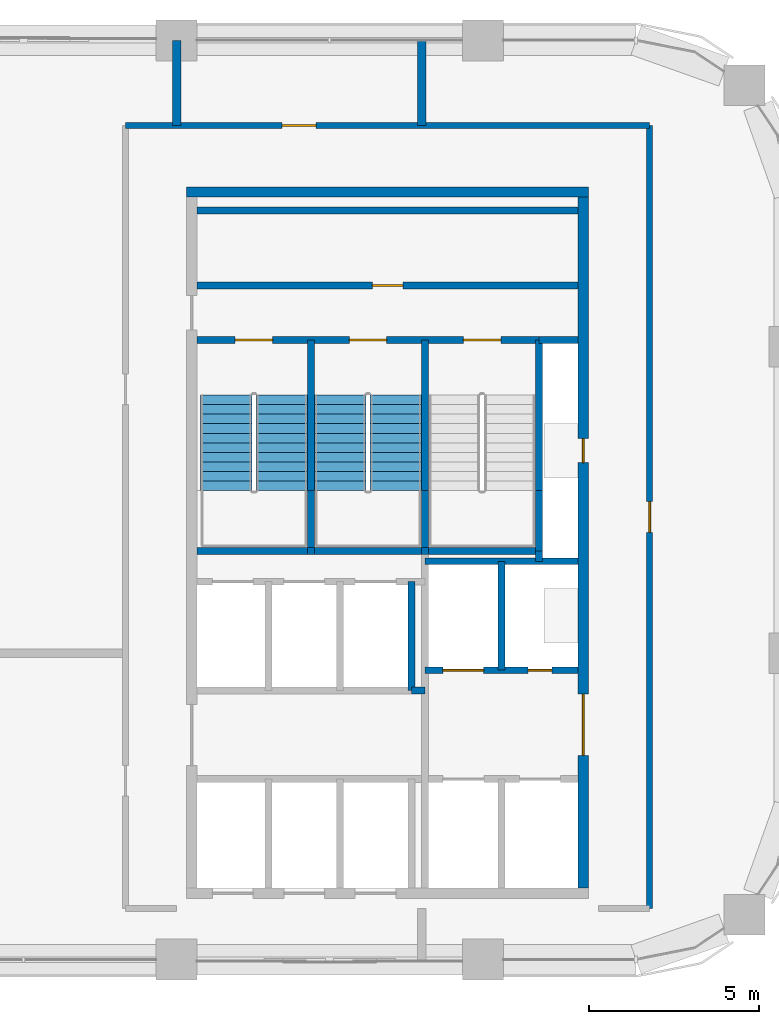
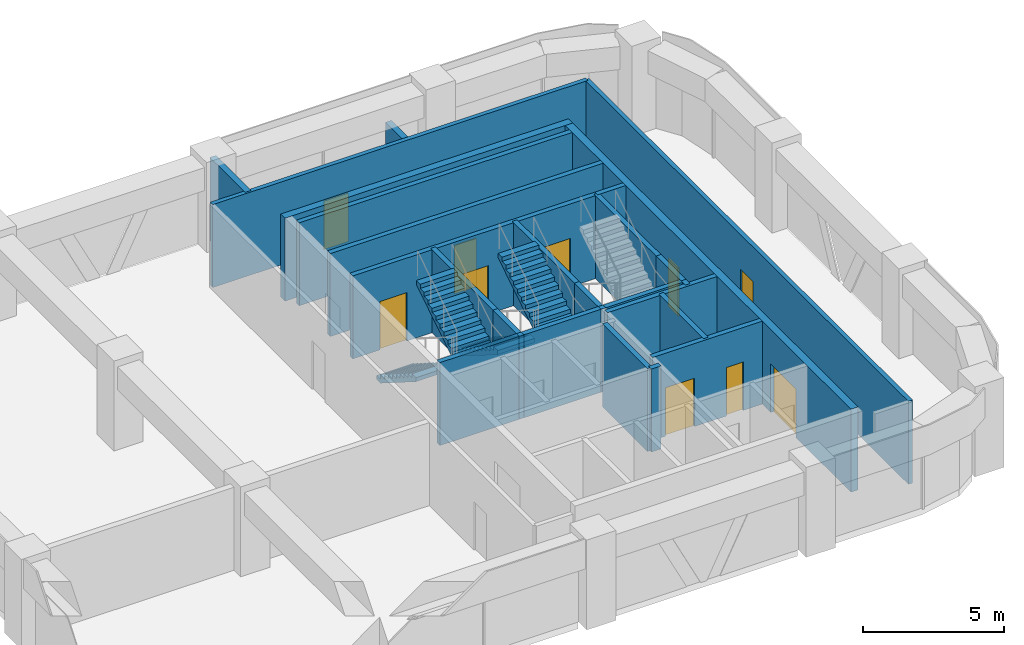
# One storey, part 7 of 9: 27 walls, 10 doors, 4 stair flights, 10 openings, 2 elements without a shape of their own.
"""IFC4 building model written with IfcOpenShell, lengths in metres."""

from ifc_helpers import new_model, si_unit, direction, frame, frame_2d, origin, place, context, subcontext, project, spatial, polyline, rectangle, outline, extrude, material, layer, layer_set, type_object, element, fill, aggregate, save


model = new_model("IFC4")

# Units and contexts
model_context = context("Model", 3, precision=1e-05, world=origin(), true_north=direction((0.0, 1.0)))
body_context = subcontext(model_context, "Body", "Model", "MODEL_VIEW")
ifc_project = project(units=[si_unit("LENGTHUNIT", "METRE"), si_unit("AREAUNIT", "SQUARE_METRE"), si_unit("VOLUMEUNIT", "CUBIC_METRE"), si_unit("PLANEANGLEUNIT", "RADIAN"), si_unit("MASSUNIT", "GRAM", prefix="KILO")], contexts=[model_context])

# Site, building, storey
site_placement = place(None, origin())
site = spatial("IfcSite", under=ifc_project, at=site_placement, CompositionType="ELEMENT")
building_placement = place(site_placement, origin())
building = spatial("IfcBuilding", under=site, at=building_placement, Name="Tessera Arch", CompositionType="ELEMENT")
storey_placement = place(building_placement, frame((0.0, 0.0, 309.0)))
storey = spatial("IfcBuildingStorey", under=building, at=storey_placement, Name="L74", CompositionType="ELEMENT", Elevation=309.0)

# Wall
ifc_material_1 = material(Name="Gypsum board on steel stud", Category="steel")
ifc_layer_1 = layer(ifc_material_1, 0.125)
ifc_layer_set_1 = layer_set([ifc_layer_1], Name="Core partition 125 EI 60")
wall_type_1 = type_object("IfcWallType", Name="Core partition 125 EI 60", PredefinedType="PARTITIONING", material=ifc_layer_set_1)
wall_1_placement = place(storey_placement, frame((42.89990234375, 34.89990234375, 0.0), z_axis=(0.0, 0.0, 1.0), x_axis=(1.0, 0.0, 0.0)))
element("IfcWall", 1, at=wall_1_placement, inside=storey, type_object=wall_type_1, Name="L74 C1 partition wall 18", PredefinedType="PARTITIONING", context=body_context, shape_type="SweptSolid", body=[
    extrude(rectangle(XDim=0.400146484375, YDim=0.199951171875, at=frame_2d((0.2001953125, 0.0))), origin(), (0.0, 0.0, 1.0), 3.60009765625),
])

# Wall, opening, door
wall_2_placement = place(storey_placement, frame((36.60009765625, 46.800048828125, 0.0), z_axis=(0.0, 0.0, 1.0), x_axis=(1.0, 0.0, 0.0)))
wall_2 = element("IfcWall", 2, at=wall_2_placement, inside=storey, type_object=wall_type_1, Name="L74 C1 partition wall 30", PredefinedType="PARTITIONING", context=body_context, shape_type="SweptSolid", body=[
    extrude(rectangle(XDim=11.199951171875, YDim=0.199951171875, at=frame_2d((5.60009765625, 0.0))), origin(), (0.0, 0.0, 1.0), 3.60009765625),
])
opening_1_placement = place(wall_2_placement, frame((5.14990234375, 0.0, 0.0)))
opening_1 = element("IfcOpeningElement", 3, at=opening_1_placement, cuts=wall_2, Name="Opening L74-C18", PredefinedType="OPENING", context=body_context, shape_type="SweptSolid", body=[
    extrude(rectangle(XDim=0.89990234375, YDim=2.10009765625, at=frame_2d((0.449951171875, 1.050048828125))), frame((0.0, 0.10986328125, 0.0), z_axis=(0.0, -1.0, 0.0), x_axis=(1.0, 0.0, 0.0)), (0.0, 0.0, 1.0), 0.219970703125),
])
ifc_material_2 = material(Name="Steel door leaf", Category="steel")
door_type_1 = type_object("IfcDoorType", Name="Store door FD30S 900 x 2100", OperationType="SINGLE_SWING_LEFT", PredefinedType="DOOR", material=ifc_material_2)
door_1_placement = place(opening_1_placement, origin())
door_1 = element("IfcDoor", 4, at=door_1_placement, inside=storey, type_object=door_type_1, Name="L74 C1 door 18 C18 type D09", OperationType="SINGLE_SWING_RIGHT", OverallHeight=2.10009765625, OverallWidth=0.89990234375, PredefinedType="DOOR", context=body_context, shape_type="SweptSolid", body=[
    extrude(rectangle(XDim=0.89990234375, YDim=2.10009765625, at=frame_2d((0.449951171875, 1.050048828125))), frame((0.0, 0.02490234375, 0.0), z_axis=(0.0, -1.0, 0.0), x_axis=(1.0, 0.0, 0.0)), (0.0, 0.0, 1.0), 0.050048828125),
])
fill(opening_1, door_1)

# Walls
wall_3_placement = place(storey_placement, frame((36.60009765625, 49.0, 0.0), z_axis=(0.0, 0.0, 1.0), x_axis=(1.0, 0.0, 0.0)))
element("IfcWall", 5, at=wall_3_placement, inside=storey, type_object=wall_type_1, Name="L74 C1 partition wall 31", PredefinedType="PARTITIONING", context=body_context, shape_type="SweptSolid", body=[
    extrude(rectangle(XDim=11.199951171875, YDim=0.199951171875, at=frame_2d((5.60009765625, 0.0))), origin(), (0.0, 0.0, 1.0), 3.60009765625),
])
ifc_material_3 = material(Name="Concrete C50/60", Category="concrete")
ifc_layer_2 = layer(ifc_material_3, 0.300048828125)
ifc_layer_set_2 = layer_set([ifc_layer_2], Name="Core shell wall 300 C50-60")
wall_type_2 = type_object("IfcWallType", Name="Core shell wall 300 C50-60", PredefinedType="SHEAR", material=ifc_layer_set_2)
wall_4_placement = place(storey_placement, frame((36.300048828125, 49.550048828125, 0.0), z_axis=(0.0, 0.0, 1.0), x_axis=(1.0, 0.0, 0.0)))
element("IfcWall", 6, at=wall_4_placement, inside=storey, type_object=wall_type_2, Name="L74 C1 core wall N", PredefinedType="SHEAR", context=body_context, shape_type="SweptSolid", body=[
    extrude(rectangle(XDim=11.800048828125, YDim=0.300048828125, at=frame_2d((5.89990234375, 0.0))), origin(), (0.0, 0.0, 1.0), 3.60009765625),
])

# Wall, openings, doors
wall_5_placement = place(storey_placement, frame((47.949951171875, 29.10009765625, 0.0), z_axis=(0.0, 0.0, 1.0), x_axis=(0.0, 1.0, 0.0)))
wall_5 = element("IfcWall", 7, at=wall_5_placement, inside=storey, type_object=wall_type_2, Name="L74 C1 core wall E", PredefinedType="SHEAR", context=body_context, shape_type="SweptSolid", body=[
    extrude(rectangle(XDim=20.2998046875, YDim=0.300048828125, at=frame_2d((10.14990234375, 0.0))), origin(), (0.0, 0.0, 1.0), 3.60009765625),
])
opening_2_placement = place(wall_5_placement, frame((12.5, 0.0, 0.0)))
opening_2 = element("IfcOpeningElement", 8, at=opening_2_placement, cuts=wall_5, Name="Opening L74-C14", PredefinedType="OPENING", context=body_context, shape_type="SweptSolid", body=[
    extrude(rectangle(XDim=0.699951171875, YDim=2.10009765625, at=frame_2d((0.35009765625, 1.050048828125))), frame((0.0, 0.159912109375, 0.0), z_axis=(0.0, -1.0, 0.0), x_axis=(1.0, 0.0, 0.0)), (0.0, 0.0, 1.0), 0.320068359375),
])
opening_3_placement = place(wall_5_placement, frame((3.89990234375, 0.0, 0.0)))
opening_3 = element("IfcOpeningElement", 9, at=opening_3_placement, cuts=wall_5, Name="Opening L74-C15", PredefinedType="OPENING", context=body_context, shape_type="SweptSolid", body=[
    extrude(rectangle(XDim=1.800048828125, YDim=2.10009765625, at=frame_2d((0.89990234375, 1.050048828125))), frame((0.0, 0.159912109375, 0.0), z_axis=(0.0, -1.0, 0.0), x_axis=(1.0, 0.0, 0.0)), (0.0, 0.0, 1.0), 0.320068359375),
])
ifc_material_4 = material(Name="Glazed steel door leaf", Category="steel")
door_type_2 = type_object("IfcDoorType", Name="Lobby double door FD60 1800 x 2100", OperationType="DOUBLE_DOOR_SINGLE_SWING", PredefinedType="DOOR", material=ifc_material_4)
door_2_placement = place(opening_3_placement, origin())
door_2 = element("IfcDoor", 10, at=door_2_placement, inside=storey, type_object=door_type_2, Name="L74 C1 door 15 C15 type D19", OperationType="DOUBLE_DOOR_SINGLE_SWING", OverallHeight=2.10009765625, OverallWidth=1.800048828125, PredefinedType="DOOR", context=body_context, shape_type="SweptSolid", body=[
    extrude(rectangle(XDim=1.800048828125, YDim=2.10009765625, at=frame_2d((0.89990234375, 1.050048828125))), frame((0.0, 0.02490234375, 0.0), z_axis=(0.0, -1.0, 0.0), x_axis=(1.0, 0.0, 0.0)), (0.0, 0.0, 1.0), 0.050048828125),
])
fill(opening_3, door_2)
ifc_material_5 = material(Name="Steel door leaf", Category="steel")
door_type_3 = type_object("IfcDoorType", Name="Service shaft door FD60 700 x 2100", OperationType="SINGLE_SWING_LEFT", PredefinedType="DOOR", material=ifc_material_5)
door_3_placement = place(opening_2_placement, origin())
door_3 = element("IfcDoor", 11, at=door_3_placement, inside=storey, type_object=door_type_3, Name="L74 C1 door 14 C14 type D07", OperationType="SINGLE_SWING_RIGHT", OverallHeight=2.10009765625, OverallWidth=0.699951171875, PredefinedType="DOOR", context=body_context, shape_type="SweptSolid", body=[
    extrude(rectangle(XDim=0.699951171875, YDim=2.10009765625, at=frame_2d((0.35009765625, 1.050048828125))), frame((0.0, 0.02490234375, 0.0), z_axis=(0.0, -1.0, 0.0), x_axis=(1.0, 0.0, 0.0)), (0.0, 0.0, 1.0), 0.050048828125),
])
fill(opening_2, door_3)

# Wall, opening, door
ifc_material_6 = material(Name="Gypsum board on deep steel stud with mineral wool", Category="steel")
ifc_layer_3 = layer(ifc_material_6, 0.175048828125)
ifc_layer_set_3 = layer_set([ifc_layer_3], Name="Corridor wall 175 EI 60")
wall_type_3 = type_object("IfcWallType", Name="Corridor wall 175 EI 60", PredefinedType="PARTITIONING", material=ifc_layer_set_3)
wall_6_placement = place(storey_placement, frame((34.5, 51.5, 0.0), z_axis=(0.0, 0.0, 1.0), x_axis=(1.0, 0.0, 0.0)))
wall_6 = element("IfcWall", 12, at=wall_6_placement, inside=storey, type_object=wall_type_3, Name="L74 partition 3", PredefinedType="PARTITIONING", context=body_context, shape_type="SweptSolid", body=[
    extrude(rectangle(XDim=15.39990234375, YDim=0.175048828125, at=frame_2d((7.699951171875, 0.0))), origin(), (0.0, 0.0, 1.0), 3.60009765625),
])
opening_4_placement = place(wall_6_placement, frame((4.60009765625, 0.0, 0.0)))
opening_4 = element("IfcOpeningElement", 13, at=opening_4_placement, cuts=wall_6, Name="Opening L74-D004", PredefinedType="OPENING", context=body_context, shape_type="SweptSolid", body=[
    extrude(rectangle(XDim=1.0, YDim=2.10009765625, at=frame_2d((0.5, 1.050048828125))), frame((0.0, 0.097412109375, 0.0), z_axis=(0.0, -1.0, 0.0), x_axis=(1.0, 0.0, 0.0)), (0.0, 0.0, 1.0), 0.195068359375),
])
ifc_material_7 = material(Name="Fire-rated door leaf")
door_type_4 = type_object("IfcDoorType", Name="Entrance door FD30S 1000 x 2100", OperationType="SINGLE_SWING_LEFT", PredefinedType="DOOR", material=ifc_material_7)
door_4_placement = place(opening_4_placement, origin())
door_4 = element("IfcDoor", 14, at=door_4_placement, inside=storey, type_object=door_type_4, Name="L74 door D004 type D03", OperationType="SINGLE_SWING_RIGHT", OverallHeight=2.10009765625, OverallWidth=1.0, PredefinedType="DOOR", context=body_context, shape_type="SweptSolid", body=[
    extrude(rectangle(XDim=1.0, YDim=2.10009765625, at=frame_2d((0.5, 1.050048828125))), frame((0.0, 0.02490234375, 0.0), z_axis=(0.0, -1.0, 0.0), x_axis=(1.0, 0.0, 0.0)), (0.0, 0.0, 1.0), 0.050048828125),
])
fill(opening_4, door_4)

wall_7_placement = place(storey_placement, frame((49.89990234375, 28.5, 0.0), z_axis=(0.0, 0.0, 1.0), x_axis=(0.0, 1.0, 0.0)))
wall_7 = element("IfcWall", 15, at=wall_7_placement, inside=storey, type_object=wall_type_3, Name="L74 partition 5", PredefinedType="PARTITIONING", context=body_context, shape_type="SweptSolid", body=[
    extrude(rectangle(XDim=23.0, YDim=0.175048828125, at=frame_2d((11.5, 0.0))), origin(), (0.0, 0.0, 1.0), 3.60009765625),
])
opening_5_placement = place(wall_7_placement, frame((11.050048828125, 0.0, 0.0)))
opening_5 = element("IfcOpeningElement", 16, at=opening_5_placement, cuts=wall_7, Name="Opening L74-D002", PredefinedType="OPENING", context=body_context, shape_type="SweptSolid", body=[
    extrude(rectangle(XDim=0.89990234375, YDim=2.10009765625, at=frame_2d((0.449951171875, 1.050048828125))), frame((0.0, 0.097412109375, 0.0), z_axis=(0.0, -1.0, 0.0), x_axis=(1.0, 0.0, 0.0)), (0.0, 0.0, 1.0), 0.195068359375),
])
ifc_material_8 = material(Name="Timber door leaf", Category="wood")
door_type_5 = type_object("IfcDoorType", Name="Room door 900 x 2100", OperationType="SINGLE_SWING_LEFT", PredefinedType="DOOR", material=ifc_material_8)
door_5_placement = place(opening_5_placement, origin())
door_5 = element("IfcDoor", 17, at=door_5_placement, inside=storey, type_object=door_type_5, Name="L74 door D002 type D01", OperationType="SINGLE_SWING_LEFT", OverallHeight=2.10009765625, OverallWidth=0.89990234375, PredefinedType="DOOR", context=body_context, shape_type="SweptSolid", body=[
    extrude(rectangle(XDim=0.89990234375, YDim=2.10009765625, at=frame_2d((0.449951171875, 1.050048828125))), frame((0.0, 0.02490234375, 0.0), z_axis=(0.0, -1.0, 0.0), x_axis=(1.0, 0.0, 0.0)), (0.0, 0.0, 1.0), 0.050048828125),
])
fill(opening_5, door_5)

# Walls
ifc_material_9 = material(Name="Double gypsum board on twin steel stud with acoustic mineral wool", Category="steel")
ifc_layer_4 = layer(ifc_material_9, 0.25)
ifc_layer_set_4 = layer_set([ifc_layer_4], Name="Party wall 250 EI 60")
wall_type_4 = type_object("IfcWallType", Name="Party wall 250 EI 60", PredefinedType="PARTITIONING", material=ifc_layer_set_4)
wall_8_placement = place(storey_placement, frame((36.0, 51.5, 0.0), z_axis=(0.0, 0.0, 1.0), x_axis=(0.0, 1.0, 0.0)))
element("IfcWall", 18, at=wall_8_placement, inside=storey, type_object=wall_type_4, Name="L74 partition 7", PredefinedType="PARTITIONING", context=body_context, shape_type="SweptSolid", body=[
    extrude(rectangle(XDim=2.5, YDim=0.25, at=frame_2d((1.25, 0.0))), origin(), (0.0, 0.0, 1.0), 3.60009765625),
])
wall_9_placement = place(storey_placement, frame((43.199951171875, 51.5, 0.0), z_axis=(0.0, 0.0, 1.0), x_axis=(0.0, 1.0, 0.0)))
element("IfcWall", 19, at=wall_9_placement, inside=storey, type_object=wall_type_4, Name="L74 partition 9", PredefinedType="PARTITIONING", context=body_context, shape_type="SweptSolid", body=[
    extrude(rectangle(XDim=2.5, YDim=0.25, at=frame_2d((1.25, 0.0))), origin(), (0.0, 0.0, 1.0), 2.60009765625),
])
ifc_material_10 = material(Name="Concrete C40/50", Category="concrete")
ifc_layer_5 = layer(ifc_material_10, 0.199951171875)
ifc_layer_set_5 = layer_set([ifc_layer_5], Name="Shaft wall 200 EI 120")
wall_type_5 = type_object("IfcWallType", Name="Shaft wall 200 EI 120", PredefinedType="SOLIDWALL", material=ifc_layer_set_5)
wall_10_placement = place(storey_placement, frame((42.89990234375, 34.89990234375, 0.0), z_axis=(0.0, 0.0, 1.0), x_axis=(0.0, 1.0, 0.0)))
element("IfcWall", 20, at=wall_10_placement, inside=storey, type_object=wall_type_5, Name="L74 C1 shaft wall 8", PredefinedType="SOLIDWALL", context=body_context, shape_type="SweptSolid", body=[
    extrude(rectangle(XDim=3.2001953125, YDim=0.199951171875, at=frame_2d((1.60009765625, 0.0))), origin(), (0.0, 0.0, 1.0), 3.60009765625),
])
wall_11_placement = place(storey_placement, frame((45.550048828125, 35.5, 0.0), z_axis=(0.0, 0.0, 1.0), x_axis=(0.0, 1.0, 0.0)))
element("IfcWall", 21, at=wall_11_placement, inside=storey, type_object=wall_type_5, Name="L74 C1 shaft wall 13", PredefinedType="SOLIDWALL", context=body_context, shape_type="SweptSolid", body=[
    extrude(rectangle(XDim=3.199951171875, YDim=0.199951171875, at=frame_2d((1.60009765625, 0.0))), origin(), (0.0, 0.0, 1.0), 3.60009765625),
])
wall_12_placement = place(storey_placement, frame((46.64990234375, 38.699951171875, 0.0), z_axis=(0.0, 0.0, 1.0), x_axis=(0.0, 1.0, 0.0)))
element("IfcWall", 22, at=wall_12_placement, inside=storey, type_object=wall_type_5, Name="L74 C1 shaft wall 14", PredefinedType="SOLIDWALL", context=body_context, shape_type="SweptSolid", body=[
    extrude(rectangle(XDim=0.300048828125, YDim=0.199951171875, at=frame_2d((0.14990234375, 0.0))), origin(), (0.0, 0.0, 1.0), 3.60009765625),
])

# Wall, openings, doors
wall_13_placement = place(storey_placement, frame((43.300048828125, 35.5, 0.0), z_axis=(0.0, 0.0, 1.0), x_axis=(1.0, 0.0, 0.0)))
wall_13 = element("IfcWall", 23, at=wall_13_placement, inside=storey, type_object=wall_type_5, Name="L74 C1 shaft wall 20", PredefinedType="SOLIDWALL", context=body_context, shape_type="SweptSolid", body=[
    extrude(rectangle(XDim=4.5, YDim=0.199951171875, at=frame_2d((2.25, 0.0))), origin(), (0.0, 0.0, 1.0), 3.60009765625),
])
opening_6_placement = place(wall_13_placement, frame((0.52490234375, 0.0, 0.0)))
opening_6 = element("IfcOpeningElement", 24, at=opening_6_placement, cuts=wall_13, Name="Opening L74-C09", PredefinedType="OPENING", context=body_context, shape_type="SweptSolid", body=[
    extrude(rectangle(XDim=1.199951171875, YDim=2.10009765625, at=frame_2d((0.60009765625, 1.050048828125))), frame((0.0, 0.10986328125, 0.0), z_axis=(0.0, -1.0, 0.0), x_axis=(1.0, 0.0, 0.0)), (0.0, 0.0, 1.0), 0.219970703125),
])
opening_7_placement = place(wall_13_placement, frame((3.02490234375, 0.0, 0.0)))
opening_7 = element("IfcOpeningElement", 25, at=opening_7_placement, cuts=wall_13, Name="Opening L74-C16", PredefinedType="OPENING", context=body_context, shape_type="SweptSolid", body=[
    extrude(rectangle(XDim=0.699951171875, YDim=2.10009765625, at=frame_2d((0.35009765625, 1.050048828125))), frame((0.0, 0.10986328125, 0.0), z_axis=(0.0, -1.0, 0.0), x_axis=(1.0, 0.0, 0.0)), (0.0, 0.0, 1.0), 0.219970703125),
])
door_6_placement = place(opening_7_placement, origin())
door_6 = element("IfcDoor", 26, at=door_6_placement, inside=storey, type_object=door_type_3, Name="L74 C1 door 16 C16 type D07", OperationType="SINGLE_SWING_RIGHT", OverallHeight=2.10009765625, OverallWidth=0.699951171875, PredefinedType="DOOR", context=body_context, shape_type="SweptSolid", body=[
    extrude(rectangle(XDim=0.699951171875, YDim=2.10009765625, at=frame_2d((0.35009765625, 1.050048828125))), frame((0.0, 0.02490234375, 0.0), z_axis=(0.0, -1.0, 0.0), x_axis=(1.0, 0.0, 0.0)), (0.0, 0.0, 1.0), 0.050048828125),
])
fill(opening_7, door_6)
ifc_material_11 = material(Name="Stainless steel AISI 304", Category="steel")
door_type_6 = type_object("IfcDoorType", Name="Sliding landing door 1200 x 2100", OperationType="SLIDING_TO_LEFT", PredefinedType="DOOR", material=ifc_material_11)
door_7_placement = place(opening_6_placement, origin())
door_7 = element("IfcDoor", 27, at=door_7_placement, inside=storey, type_object=door_type_6, Name="L74 SV2 lift landing door C09 type LD", OperationType="SLIDING_TO_LEFT", OverallHeight=2.10009765625, OverallWidth=1.199951171875, PredefinedType="DOOR", context=body_context, shape_type="SweptSolid", body=[
    extrude(rectangle(XDim=1.199951171875, YDim=2.10009765625, at=frame_2d((0.60009765625, 1.050048828125))), frame((0.0, 0.02490234375, 0.0), z_axis=(0.0, -1.0, 0.0), x_axis=(1.0, 0.0, 0.0)), (0.0, 0.0, 1.0), 0.050048828125),
])
fill(opening_6, door_7)

# Walls
wall_14_placement = place(storey_placement, frame((43.300048828125, 38.699951171875, 0.0), z_axis=(0.0, 0.0, 1.0), x_axis=(1.0, 0.0, 0.0)))
element("IfcWall", 28, at=wall_14_placement, inside=storey, type_object=wall_type_5, Name="L74 C1 shaft wall 22", PredefinedType="SOLIDWALL", context=body_context, shape_type="SweptSolid", body=[
    extrude(rectangle(XDim=4.5, YDim=0.199951171875, at=frame_2d((2.25, 0.0))), origin(), (0.0, 0.0, 1.0), 3.60009765625),
])
wall_15_placement = place(storey_placement, frame((46.64990234375, 45.199951171875, 0.0), z_axis=(0.0, 0.0, 1.0), x_axis=(1.0, 0.0, 0.0)))
element("IfcWall", 29, at=wall_15_placement, inside=storey, type_object=wall_type_5, Name="L74 C1 shaft wall 28", PredefinedType="SOLIDWALL", context=body_context, shape_type="SweptSolid", body=[
    extrude(rectangle(XDim=1.150146484375, YDim=0.199951171875, at=frame_2d((0.5751953125, 0.0))), origin(), (0.0, 0.0, 1.0), 3.60009765625),
])
ifc_material_12 = material(Name="Concrete C40/50", Category="concrete")
ifc_layer_6 = layer(ifc_material_12, 0.199951171875)
ifc_layer_set_6 = layer_set([ifc_layer_6], Name="Stair well wall 200 REI 180")
wall_type_6 = type_object("IfcWallType", Name="Stair well wall 200 REI 180", PredefinedType="SOLIDWALL", material=ifc_layer_set_6)
wall_16_placement = place(storey_placement, frame((39.949951171875, 39.0, 0.0), z_axis=(0.0, 0.0, 1.0), x_axis=(0.0, 1.0, 0.0)))
element("IfcWall", 30, at=wall_16_placement, inside=storey, type_object=wall_type_6, Name="L74 C1 shaft wall 3", PredefinedType="SOLIDWALL", context=body_context, shape_type="SweptSolid", body=[
    extrude(rectangle(XDim=1.780029296875, YDim=0.199951171875, at=frame_2d((0.89013671875, 0.0))), origin(), (0.0, 0.0, 1.0), 3.60009765625),
])
wall_17_placement = place(storey_placement, frame((39.949951171875, 40.780029296875, 0.0), z_axis=(0.0, 0.0, 1.0), x_axis=(0.0, 1.0, 0.0)))
element("IfcWall", 31, at=wall_17_placement, inside=storey, type_object=wall_type_6, Name="L74 C1 shaft wall 4", PredefinedType="SOLIDWALL", context=body_context, shape_type="SweptSolid", body=[
    extrude(rectangle(XDim=4.419921875, YDim=0.199951171875, at=frame_2d((2.2099609375, 0.0))), origin(), (0.0, 0.0, 1.0), 3.60009765625),
])
wall_18_placement = place(storey_placement, frame((43.300048828125, 39.0, 0.0), z_axis=(0.0, 0.0, 1.0), x_axis=(0.0, 1.0, 0.0)))
element("IfcWall", 32, at=wall_18_placement, inside=storey, type_object=wall_type_6, Name="L74 C1 shaft wall 10", PredefinedType="SOLIDWALL", context=body_context, shape_type="SweptSolid", body=[
    extrude(rectangle(XDim=1.780029296875, YDim=0.199951171875, at=frame_2d((0.89013671875, 0.0))), origin(), (0.0, 0.0, 1.0), 3.60009765625),
])
wall_19_placement = place(storey_placement, frame((43.300048828125, 40.780029296875, 0.0), z_axis=(0.0, 0.0, 1.0), x_axis=(0.0, 1.0, 0.0)))
element("IfcWall", 33, at=wall_19_placement, inside=storey, type_object=wall_type_6, Name="L74 C1 shaft wall 11", PredefinedType="SOLIDWALL", context=body_context, shape_type="SweptSolid", body=[
    extrude(rectangle(XDim=4.419921875, YDim=0.199951171875, at=frame_2d((2.2099609375, 0.0))), origin(), (0.0, 0.0, 1.0), 3.60009765625),
])
wall_20_placement = place(storey_placement, frame((46.64990234375, 39.0, 0.0), z_axis=(0.0, 0.0, 1.0), x_axis=(0.0, 1.0, 0.0)))
element("IfcWall", 34, at=wall_20_placement, inside=storey, type_object=wall_type_6, Name="L74 C1 shaft wall 15", PredefinedType="SOLIDWALL", context=body_context, shape_type="SweptSolid", body=[
    extrude(rectangle(XDim=1.780029296875, YDim=0.199951171875, at=frame_2d((0.89013671875, 0.0))), origin(), (0.0, 0.0, 1.0), 3.60009765625),
])
wall_21_placement = place(storey_placement, frame((46.64990234375, 40.780029296875, 0.0), z_axis=(0.0, 0.0, 1.0), x_axis=(0.0, 1.0, 0.0)))
element("IfcWall", 35, at=wall_21_placement, inside=storey, type_object=wall_type_6, Name="L74 C1 shaft wall 16", PredefinedType="SOLIDWALL", context=body_context, shape_type="SweptSolid", body=[
    extrude(rectangle(XDim=4.419921875, YDim=0.199951171875, at=frame_2d((2.2099609375, 0.0))), origin(), (0.0, 0.0, 1.0), 3.60009765625),
])
wall_22_placement = place(storey_placement, frame((36.60009765625, 39.0, 0.0), z_axis=(0.0, 0.0, 1.0), x_axis=(1.0, 0.0, 0.0)))
element("IfcWall", 36, at=wall_22_placement, inside=storey, type_object=wall_type_6, Name="L74 C1 shaft wall 23", PredefinedType="SOLIDWALL", context=body_context, shape_type="SweptSolid", body=[
    extrude(rectangle(XDim=3.25, YDim=0.199951171875, at=frame_2d((1.625, 0.0))), origin(), (0.0, 0.0, 1.0), 3.60009765625),
])
wall_23_placement = place(storey_placement, frame((39.85009765625, 39.0, 0.0), z_axis=(0.0, 0.0, 1.0), x_axis=(1.0, 0.0, 0.0)))
element("IfcWall", 37, at=wall_23_placement, inside=storey, type_object=wall_type_6, Name="L74 C1 shaft wall 24", PredefinedType="SOLIDWALL", context=body_context, shape_type="SweptSolid", body=[
    extrude(rectangle(XDim=0.199951171875, YDim=0.199951171875, at=frame_2d((0.10009765625, 0.0))), origin(), (0.0, 0.0, 1.0), 3.60009765625),
])
wall_24_placement = place(storey_placement, frame((40.050048828125, 39.0, 0.0), z_axis=(0.0, 0.0, 1.0), x_axis=(1.0, 0.0, 0.0)))
element("IfcWall", 38, at=wall_24_placement, inside=storey, type_object=wall_type_6, Name="L74 C1 shaft wall 25", PredefinedType="SOLIDWALL", context=body_context, shape_type="SweptSolid", body=[
    extrude(rectangle(XDim=3.14990234375, YDim=0.199951171875, at=frame_2d((1.574951171875, 0.0))), origin(), (0.0, 0.0, 1.0), 3.60009765625),
])
wall_25_placement = place(storey_placement, frame((43.199951171875, 39.0, 0.0), z_axis=(0.0, 0.0, 1.0), x_axis=(1.0, 0.0, 0.0)))
element("IfcWall", 39, at=wall_25_placement, inside=storey, type_object=wall_type_6, Name="L74 C1 shaft wall 26", PredefinedType="SOLIDWALL", context=body_context, shape_type="SweptSolid", body=[
    extrude(rectangle(XDim=0.199951171875, YDim=0.199951171875, at=frame_2d((0.10009765625, 0.0))), origin(), (0.0, 0.0, 1.0), 3.60009765625),
])
wall_26_placement = place(storey_placement, frame((43.39990234375, 39.0, 0.0), z_axis=(0.0, 0.0, 1.0), x_axis=(1.0, 0.0, 0.0)))
element("IfcWall", 40, at=wall_26_placement, inside=storey, type_object=wall_type_6, Name="L74 C1 shaft wall 27", PredefinedType="SOLIDWALL", context=body_context, shape_type="SweptSolid", body=[
    extrude(rectangle(XDim=3.25, YDim=0.199951171875, at=frame_2d((1.625, 0.0))), origin(), (0.0, 0.0, 1.0), 3.60009765625),
])

# Wall, openings, doors
wall_27_placement = place(storey_placement, frame((36.60009765625, 45.199951171875, 0.0), z_axis=(0.0, 0.0, 1.0), x_axis=(1.0, 0.0, 0.0)))
wall_27 = element("IfcWall", 41, at=wall_27_placement, inside=storey, type_object=wall_type_6, Name="L74 C1 shaft wall 29", PredefinedType="SOLIDWALL", context=body_context, shape_type="SweptSolid", body=[
    extrude(rectangle(XDim=10.0498046875, YDim=0.199951171875, at=frame_2d((5.02490234375, 0.0))), origin(), (0.0, 0.0, 1.0), 3.60009765625),
])
opening_8_placement = place(wall_27_placement, frame((1.125, 0.0, 0.0)))
opening_8 = element("IfcOpeningElement", 42, at=opening_8_placement, cuts=wall_27, Name="Opening L74-C11", PredefinedType="OPENING", context=body_context, shape_type="SweptSolid", body=[
    extrude(rectangle(XDim=1.10009765625, YDim=2.10009765625, at=frame_2d((0.550048828125, 1.050048828125))), frame((0.0, 0.10986328125, 0.0), z_axis=(0.0, -1.0, 0.0), x_axis=(1.0, 0.0, 0.0)), (0.0, 0.0, 1.0), 0.219970703125),
])
opening_9_placement = place(wall_27_placement, frame((4.47509765625, 0.0, 0.0)))
opening_9 = element("IfcOpeningElement", 43, at=opening_9_placement, cuts=wall_27, Name="Opening L74-C12", PredefinedType="OPENING", context=body_context, shape_type="SweptSolid", body=[
    extrude(rectangle(XDim=1.10009765625, YDim=2.10009765625, at=frame_2d((0.550048828125, 1.050048828125))), frame((0.0, 0.10986328125, 0.0), z_axis=(0.0, -1.0, 0.0), x_axis=(1.0, 0.0, 0.0)), (0.0, 0.0, 1.0), 0.219970703125),
])
opening_10_placement = place(wall_27_placement, frame((7.824951171875, 0.0, 0.0)))
opening_10 = element("IfcOpeningElement", 44, at=opening_10_placement, cuts=wall_27, Name="Opening L74-C13", PredefinedType="OPENING", context=body_context, shape_type="SweptSolid", body=[
    extrude(rectangle(XDim=1.10009765625, YDim=2.10009765625, at=frame_2d((0.550048828125, 1.050048828125))), frame((0.0, 0.10986328125, 0.0), z_axis=(0.0, -1.0, 0.0), x_axis=(1.0, 0.0, 0.0)), (0.0, 0.0, 1.0), 0.219970703125),
])
ifc_material_13 = material(Name="Steel door leaf", Category="steel")
door_type_7 = type_object("IfcDoorType", Name="Stair door FD60 1100 x 2100", OperationType="SINGLE_SWING_LEFT", PredefinedType="DOOR", material=ifc_material_13)
door_8_placement = place(opening_8_placement, origin())
door_8 = element("IfcDoor", 45, at=door_8_placement, inside=storey, type_object=door_type_7, Name="L74 C1 door 11 C11 type D05", OperationType="SINGLE_SWING_LEFT", OverallHeight=2.10009765625, OverallWidth=1.10009765625, PredefinedType="DOOR", context=body_context, shape_type="SweptSolid", body=[
    extrude(rectangle(XDim=1.10009765625, YDim=2.10009765625, at=frame_2d((0.550048828125, 1.050048828125))), frame((0.0, 0.02490234375, 0.0), z_axis=(0.0, -1.0, 0.0), x_axis=(1.0, 0.0, 0.0)), (0.0, 0.0, 1.0), 0.050048828125),
])
fill(opening_8, door_8)
door_9_placement = place(opening_9_placement, origin())
door_9 = element("IfcDoor", 46, at=door_9_placement, inside=storey, type_object=door_type_7, Name="L74 C1 door 12 C12 type D05", OperationType="SINGLE_SWING_RIGHT", OverallHeight=2.10009765625, OverallWidth=1.10009765625, PredefinedType="DOOR", context=body_context, shape_type="SweptSolid", body=[
    extrude(rectangle(XDim=1.10009765625, YDim=2.10009765625, at=frame_2d((0.550048828125, 1.050048828125))), frame((0.0, 0.02490234375, 0.0), z_axis=(0.0, -1.0, 0.0), x_axis=(1.0, 0.0, 0.0)), (0.0, 0.0, 1.0), 0.050048828125),
])
fill(opening_9, door_9)
door_10_placement = place(opening_10_placement, origin())
door_10 = element("IfcDoor", 47, at=door_10_placement, inside=storey, type_object=door_type_7, Name="L74 C1 door 13 C13 type D05", OperationType="SINGLE_SWING_RIGHT", OverallHeight=2.10009765625, OverallWidth=1.10009765625, PredefinedType="DOOR", context=body_context, shape_type="SweptSolid", body=[
    extrude(rectangle(XDim=1.10009765625, YDim=2.10009765625, at=frame_2d((0.550048828125, 1.050048828125))), frame((0.0, 0.02490234375, 0.0), z_axis=(0.0, -1.0, 0.0), x_axis=(1.0, 0.0, 0.0)), (0.0, 0.0, 1.0), 0.050048828125),
])
fill(opening_10, door_10)

# Stair, stair flights
ifc_material_14 = material(Name="Concrete C40/50", Category="concrete")
stair_type = type_object("IfcStairType", Name="Dogleg stair 1520", PredefinedType="HALF_TURN_STAIR", material=ifc_material_14)
stair_1_placement = place(storey_placement, origin())
stair_1 = element("IfcStair", 48, at=stair_1_placement, inside=storey, type_object=stair_type, Name="L74 S1a", PredefinedType="HALF_TURN_STAIR")
ifc_material_15 = material(Name="Concrete C40/50", Category="concrete")
stair_flight_type = type_object("IfcStairFlightType", Name="Stair flight 1520", PredefinedType="STRAIGHT", material=ifc_material_15)
stair_flight_1_placement = place(storey_placement, frame((37.4599609375, 43.580078125, 0.0), z_axis=(0.0, 0.0, 1.0), x_axis=(0.0, -1.0, 0.0)))
stair_flight_1 = element("IfcStairFlight", 49, at=stair_flight_1_placement, type_object=stair_flight_type, Name="S1a flight 1", NumberOfRisers=11, NumberOfTreads=10, PredefinedType="STRAIGHT", RiserHeight=0.177272727, TreadLength=0.28, context=body_context, shape_type="SweptSolid", body=[
    extrude(outline(polyline([(0.0, 0.0), (0.0, 0.17724609375), (0.280029296875, 0.17724609375), (0.280029296875, 0.3544921875), (0.56005859375, 0.3544921875), (0.56005859375, 0.53173828125), (0.840087890625, 0.53173828125), (0.840087890625, 0.708984375), (1.1201171875, 0.708984375), (1.1201171875, 0.886474609375), (1.39990234375, 0.886474609375), (1.39990234375, 1.063720703125), (1.679931640625, 1.063720703125), (1.679931640625, 1.240966796875), (1.9599609375, 1.240966796875), (1.9599609375, 1.418212890625), (2.239990234375, 1.418212890625), (2.239990234375, 1.595458984375), (2.52001953125, 1.595458984375), (2.52001953125, 1.772705078125), (2.800048828125, 1.772705078125), (2.800048828125, 1.949951171875), (2.800048828125, 1.59521484375), (0.2802734375, 0.0), (0.0, 0.0)])), frame((0.0, 0.760009765625, 0.0), z_axis=(0.0, -1.0, 0.0), x_axis=(1.0, 0.0, 0.0)), (0.0, 0.0, 1.0), 1.52001953125),
])
stair_flight_2_placement = place(storey_placement, frame((39.090087890625, 40.780029296875, 1.949951171875), z_axis=(0.0, 0.0, 1.0), x_axis=(0.0, 1.0, 0.0)))
stair_flight_2 = element("IfcStairFlight", 50, at=stair_flight_2_placement, type_object=stair_flight_type, Name="S1a flight 2", NumberOfRisers=11, NumberOfTreads=10, PredefinedType="STRAIGHT", RiserHeight=0.177272727, TreadLength=0.28, context=body_context, shape_type="SweptSolid", body=[
    extrude(outline(polyline([(0.0, 0.0), (0.0, 0.17724609375), (0.280029296875, 0.17724609375), (0.280029296875, 0.3544921875), (0.56005859375, 0.3544921875), (0.56005859375, 0.53173828125), (0.840087890625, 0.53173828125), (0.840087890625, 0.708984375), (1.1201171875, 0.708984375), (1.1201171875, 0.886474609375), (1.39990234375, 0.886474609375), (1.39990234375, 1.063720703125), (1.679931640625, 1.063720703125), (1.679931640625, 1.240966796875), (1.9599609375, 1.240966796875), (1.9599609375, 1.418212890625), (2.239990234375, 1.418212890625), (2.239990234375, 1.595458984375), (2.52001953125, 1.595458984375), (2.52001953125, 1.772705078125), (2.800048828125, 1.772705078125), (2.800048828125, 1.949951171875), (2.800048828125, 1.59521484375), (0.2802734375, 0.0), (0.0, 0.0)])), frame((0.0, 0.760009765625, 0.0), z_axis=(0.0, -1.0, 0.0), x_axis=(1.0, 0.0, 0.0)), (0.0, 0.0, 1.0), 1.52001953125),
])
aggregate(stair_1, [stair_flight_1, stair_flight_2])

stair_2_placement = place(storey_placement, origin())
stair_2 = element("IfcStair", 51, at=stair_2_placement, inside=storey, type_object=stair_type, Name="L74 S1b", PredefinedType="HALF_TURN_STAIR")
stair_flight_3_placement = place(storey_placement, frame((40.81005859375, 43.580078125, 0.0), z_axis=(0.0, 0.0, 1.0), x_axis=(0.0, -1.0, 0.0)))
stair_flight_3 = element("IfcStairFlight", 52, at=stair_flight_3_placement, type_object=stair_flight_type, Name="S1b flight 1", NumberOfRisers=11, NumberOfTreads=10, PredefinedType="STRAIGHT", RiserHeight=0.177272727, TreadLength=0.28, context=body_context, shape_type="SweptSolid", body=[
    extrude(outline(polyline([(0.0, 0.0), (0.0, 0.17724609375), (0.280029296875, 0.17724609375), (0.280029296875, 0.3544921875), (0.56005859375, 0.3544921875), (0.56005859375, 0.53173828125), (0.840087890625, 0.53173828125), (0.840087890625, 0.708984375), (1.1201171875, 0.708984375), (1.1201171875, 0.886474609375), (1.39990234375, 0.886474609375), (1.39990234375, 1.063720703125), (1.679931640625, 1.063720703125), (1.679931640625, 1.240966796875), (1.9599609375, 1.240966796875), (1.9599609375, 1.418212890625), (2.239990234375, 1.418212890625), (2.239990234375, 1.595458984375), (2.52001953125, 1.595458984375), (2.52001953125, 1.772705078125), (2.800048828125, 1.772705078125), (2.800048828125, 1.949951171875), (2.800048828125, 1.59521484375), (0.2802734375, 0.0), (0.0, 0.0)])), frame((0.0, 0.760009765625, 0.0), z_axis=(0.0, -1.0, 0.0), x_axis=(1.0, 0.0, 0.0)), (0.0, 0.0, 1.0), 1.52001953125),
])
stair_flight_4_placement = place(storey_placement, frame((42.43994140625, 40.780029296875, 1.949951171875), z_axis=(0.0, 0.0, 1.0), x_axis=(0.0, 1.0, 0.0)))
stair_flight_4 = element("IfcStairFlight", 53, at=stair_flight_4_placement, type_object=stair_flight_type, Name="S1b flight 2", NumberOfRisers=11, NumberOfTreads=10, PredefinedType="STRAIGHT", RiserHeight=0.177272727, TreadLength=0.28, context=body_context, shape_type="SweptSolid", body=[
    extrude(outline(polyline([(0.0, 0.0), (0.0, 0.17724609375), (0.280029296875, 0.17724609375), (0.280029296875, 0.3544921875), (0.56005859375, 0.3544921875), (0.56005859375, 0.53173828125), (0.840087890625, 0.53173828125), (0.840087890625, 0.708984375), (1.1201171875, 0.708984375), (1.1201171875, 0.886474609375), (1.39990234375, 0.886474609375), (1.39990234375, 1.063720703125), (1.679931640625, 1.063720703125), (1.679931640625, 1.240966796875), (1.9599609375, 1.240966796875), (1.9599609375, 1.418212890625), (2.239990234375, 1.418212890625), (2.239990234375, 1.595458984375), (2.52001953125, 1.595458984375), (2.52001953125, 1.772705078125), (2.800048828125, 1.772705078125), (2.800048828125, 1.949951171875), (2.800048828125, 1.59521484375), (0.2802734375, 0.0), (0.0, 0.0)])), frame((0.0, 0.760009765625, 0.0), z_axis=(0.0, -1.0, 0.0), x_axis=(1.0, 0.0, 0.0)), (0.0, 0.0, 1.0), 1.52001953125),
])
aggregate(stair_2, [stair_flight_3, stair_flight_4])

save(model, "model.ifc")
